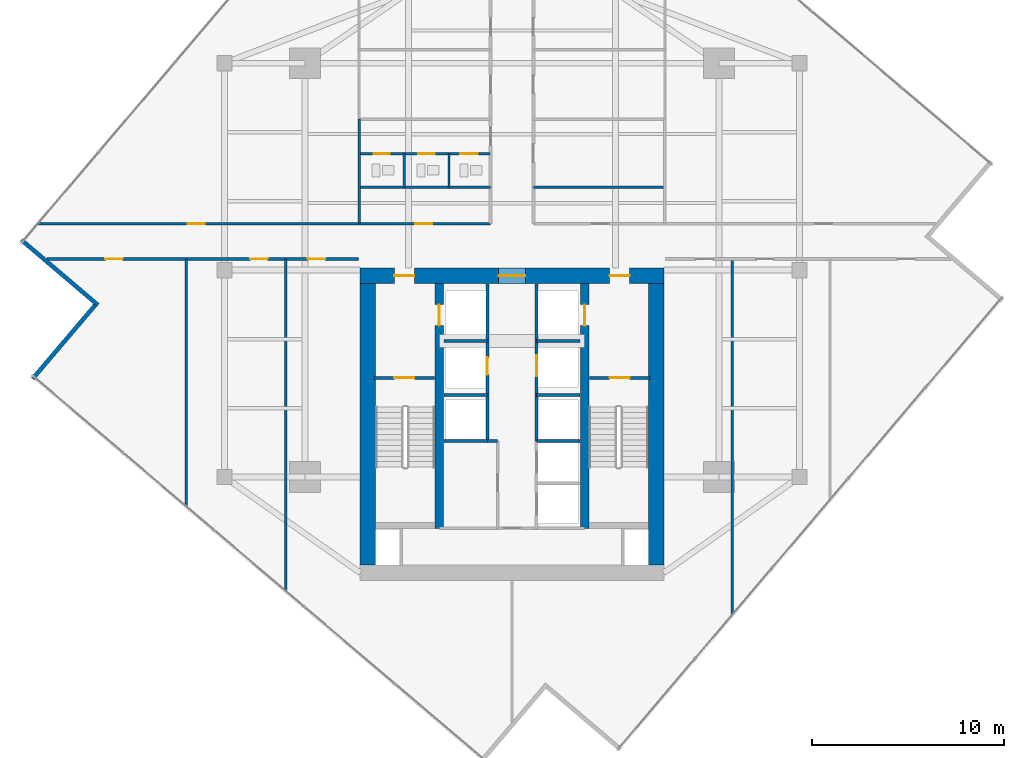
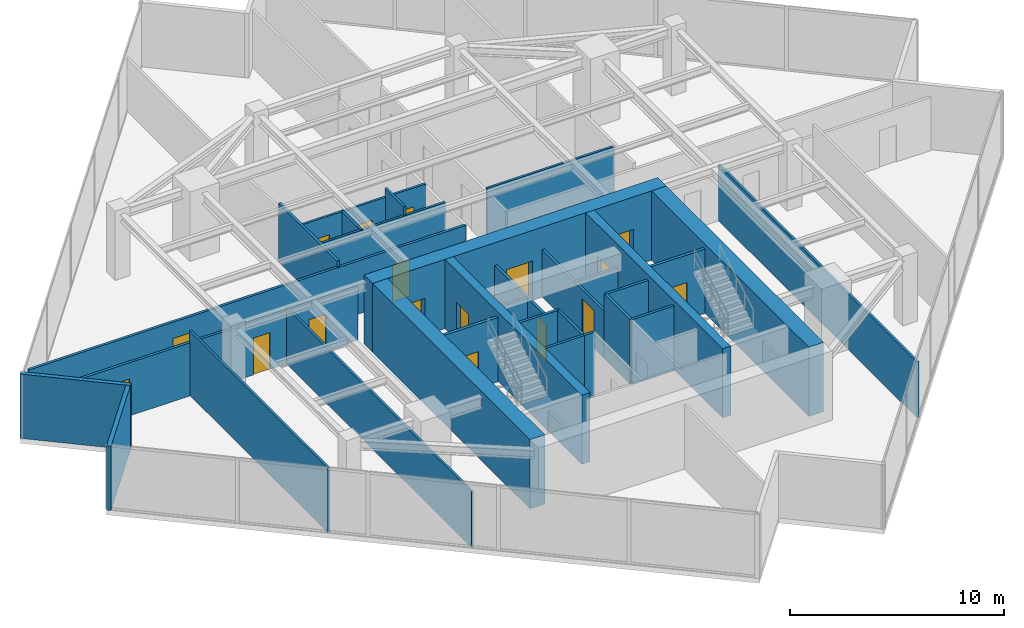
# One storey, part 22 of 25: 31 walls, 17 doors, 17 openings.
"""IFC4 building model written with IfcOpenShell, lengths in metres."""

from ifc_helpers import new_model, si_unit, direction, frame, frame_2d, origin, place, context, subcontext, project, spatial, rectangle, extrude, material, layer, layer_set, type_object, element, fill, save


model = new_model("IFC4")

# Units and contexts
model_context = context("Model", 3, precision=1e-05, world=origin(), true_north=direction((0.0, 1.0)))
body_context = subcontext(model_context, "Body", "Model", "MODEL_VIEW")
ifc_project = project(units=[si_unit("LENGTHUNIT", "METRE"), si_unit("AREAUNIT", "SQUARE_METRE"), si_unit("VOLUMEUNIT", "CUBIC_METRE"), si_unit("PLANEANGLEUNIT", "RADIAN"), si_unit("MASSUNIT", "GRAM", prefix="KILO")], contexts=[model_context])

# Site, building, storey
site_placement = place(None, origin())
site = spatial("IfcSite", under=ifc_project, at=site_placement, CompositionType="ELEMENT")
building_placement = place(site_placement, origin())
building = spatial("IfcBuilding", under=site, at=building_placement, Name="Krantzveldt Concourse Tower", CompositionType="ELEMENT")
storey_placement = place(building_placement, frame((0.0, 0.0, 215.199951171875)))
storey = spatial("IfcBuildingStorey", under=building, at=storey_placement, Name="L52", CompositionType="ELEMENT", Elevation=215.199951171875)

# Walls
ifc_material_1 = material(Name="Anodised aluminium 6063-T6", Category="aluminium")
ifc_layer_1 = layer(ifc_material_1, 0.219970703125, Name="Anodised aluminium 6063-T6", Category="aluminium")
ifc_layer_set_1 = layer_set([ifc_layer_1], Name="Anodised aluminium 6063-T6 (WL-EXT-NOTCH220)")
wall_type_1 = type_object("IfcWallType", Name="WL-EXT-NOTCH220", PredefinedType="ELEMENTEDWALL", material=ifc_layer_set_1)
wall_1_placement = place(storey_placement, frame((10.394287109375, 28.271484375, 0.0), z_axis=(0.0, 0.0, 1.0), x_axis=(0.761803778304, -0.647807844474, 0.0)))
element("IfcWall", 1, at=wall_1_placement, inside=storey, type_object=wall_type_1, Name="EW-L52-NCH02", PredefinedType="ELEMENTEDWALL", context=body_context, shape_type="SweptSolid", body=[
    extrude(rectangle(XDim=5.244873046875, YDim=0.219970703125, at=frame_2d((2.62255859375, 0.0))), origin(), (0.0, 0.0, 1.0), 3.670166015625),
])
wall_2_placement = place(storey_placement, frame((14.23486328125, 24.861328125, 0.0), z_axis=(0.0, 0.0, 1.0), x_axis=(-0.647765464437, -0.761839814583, 0.0)))
element("IfcWall", 2, at=wall_2_placement, inside=storey, type_object=wall_type_1, Name="EW-L52-NCH03", PredefinedType="ELEMENTEDWALL", context=body_context, shape_type="SweptSolid", body=[
    extrude(rectangle(XDim=5.025146484375, YDim=0.219970703125, at=frame_2d((2.5126953125, 0.0))), origin(), (0.0, 0.0, 1.0), 3.670166015625),
])
ifc_material_2 = material(Name="Fire-rated gypsum plasterboard on steel stud", Category="steel")
ifc_layer_2 = layer(ifc_material_2, 0.1201171875, Name="Fire-rated gypsum plasterboard on steel stud", Category="steel")
ifc_layer_set_2 = layer_set([ifc_layer_2], Name="Fire-rated gypsum plasterboard on steel stud (WL-PART-120)")
wall_type_2 = type_object("IfcWallType", Name="WL-PART-120", PredefinedType="PARTITIONING", material=ifc_layer_set_2)
for number, where, z_axis, x_axis, name in (
    (3, (28.02001953125, 31.02001953125, 0.0), (0.0, 0.0, 1.0), (1.0, 0.0, 0.0), "WP-L52-ISML"),
    (4, (37.1201171875, 31.02001953125, 0.0), (0.0, 0.0, 1.0), (1.0, 0.0, 0.0), "WP-L52-ISMR"),
):
    element("IfcWall", number, at=place(storey_placement, frame(where, z_axis=z_axis, x_axis=x_axis)), inside=storey, type_object=wall_type_2, Name=name, PredefinedType="PARTITIONING", context=body_context, shape_type="SweptSolid", body=[
        extrude(rectangle(XDim=6.85986328125, YDim=0.1201171875, at=frame_2d((3.429931640625, 0.0))), origin(), (0.0, 0.0, 1.0), 3.179931640625),
    ])

# Wall, openings, doors
wall_3_placement = place(storey_placement, frame((28.050048828125, 32.780029296875, 0.0), z_axis=(0.0, 0.0, 1.0), x_axis=(1.0, 0.0, 0.0)))
wall_3 = element("IfcWall", 5, at=wall_3_placement, inside=storey, type_object=wall_type_2, Name="WP-L52-WCHDR", PredefinedType="PARTITIONING", context=body_context, shape_type="SweptSolid", body=[
    extrude(rectangle(XDim=6.800048828125, YDim=0.1201171875, at=frame_2d((3.39990234375, 0.0))), origin(), (0.0, 0.0, 1.0), 3.179931640625),
])
opening_1_placement = place(wall_3_placement, frame((0.72509765625, 0.0, 0.0)))
opening_1 = element("IfcOpeningElement", 6, at=opening_1_placement, cuts=wall_3, Name="Opening D-IN085", PredefinedType="OPENING", context=body_context, shape_type="SweptSolid", body=[
    extrude(rectangle(XDim=0.85009765625, YDim=2.10009765625, at=frame_2d((0.425048828125, 1.050048828125))), frame((0.0, 0.070068359375, 0.0), z_axis=(0.0, -1.0, 0.0), x_axis=(1.0, 0.0, 0.0)), (0.0, 0.0, 1.0), 0.14013671875),
])
opening_2_placement = place(wall_3_placement, frame((3.06494140625, 0.0, 0.0)))
opening_2 = element("IfcOpeningElement", 7, at=opening_2_placement, cuts=wall_3, Name="Opening D-IN085", PredefinedType="OPENING", context=body_context, shape_type="SweptSolid", body=[
    extrude(rectangle(XDim=0.85009765625, YDim=2.10009765625, at=frame_2d((0.425048828125, 1.050048828125))), frame((0.0, 0.070068359375, 0.0), z_axis=(0.0, -1.0, 0.0), x_axis=(1.0, 0.0, 0.0)), (0.0, 0.0, 1.0), 0.14013671875),
])
opening_3_placement = place(wall_3_placement, frame((5.25, 0.0, 0.0)))
opening_3 = element("IfcOpeningElement", 8, at=opening_3_placement, cuts=wall_3, Name="Opening D-IN090", PredefinedType="OPENING", context=body_context, shape_type="SweptSolid", body=[
    extrude(rectangle(XDim=0.89990234375, YDim=2.10009765625, at=frame_2d((0.449951171875, 1.050048828125))), frame((0.0, 0.070068359375, 0.0), z_axis=(0.0, -1.0, 0.0), x_axis=(1.0, 0.0, 0.0)), (0.0, 0.0, 1.0), 0.14013671875),
])
ifc_material_3 = material(Name="Hardwood timber", Category="wood")
door_type_1 = type_object("IfcDoorType", Name="DR-INT-850", OperationType="SINGLE_SWING_LEFT", PredefinedType="DOOR", material=ifc_material_3)
door_1_placement = place(opening_1_placement, origin())
door_1 = element("IfcDoor", 9, at=door_1_placement, inside=storey, type_object=door_type_1, Name="DR-L52-WCM", OperationType="SINGLE_SWING_LEFT", OverallHeight=2.10009765625, OverallWidth=0.85009765625, PredefinedType="DOOR", context=body_context, shape_type="SweptSolid", body=[
    extrude(rectangle(XDim=0.85009765625, YDim=2.10009765625, at=frame_2d((0.425048828125, 1.050048828125))), frame((0.0, 0.02490234375, 0.0), z_axis=(0.0, -1.0, 0.0), x_axis=(1.0, 0.0, 0.0)), (0.0, 0.0, 1.0), 0.050048828125),
])
fill(opening_1, door_1)
door_2_placement = place(opening_2_placement, origin())
door_2 = element("IfcDoor", 10, at=door_2_placement, inside=storey, type_object=door_type_1, Name="DR-L52-WCF", OperationType="SINGLE_SWING_RIGHT", OverallHeight=2.10009765625, OverallWidth=0.85009765625, PredefinedType="DOOR", context=body_context, shape_type="SweptSolid", body=[
    extrude(rectangle(XDim=0.85009765625, YDim=2.10009765625, at=frame_2d((0.425048828125, 1.050048828125))), frame((0.0, 0.02490234375, 0.0), z_axis=(0.0, -1.0, 0.0), x_axis=(1.0, 0.0, 0.0)), (0.0, 0.0, 1.0), 0.050048828125),
])
fill(opening_2, door_2)
door_type_2 = type_object("IfcDoorType", Name="DR-INT-900", OperationType="SINGLE_SWING_LEFT", PredefinedType="DOOR", material=ifc_material_3)
door_3_placement = place(opening_3_placement, origin())
door_3 = element("IfcDoor", 11, at=door_3_placement, inside=storey, type_object=door_type_2, Name="DR-L52-WCA", OperationType="SINGLE_SWING_LEFT", OverallHeight=2.10009765625, OverallWidth=0.89990234375, PredefinedType="DOOR", context=body_context, shape_type="SweptSolid", body=[
    extrude(rectangle(XDim=0.89990234375, YDim=2.10009765625, at=frame_2d((0.449951171875, 1.050048828125))), frame((0.0, 0.02490234375, 0.0), z_axis=(0.0, -1.0, 0.0), x_axis=(1.0, 0.0, 0.0)), (0.0, 0.0, 1.0), 0.050048828125),
])
fill(opening_3, door_3)

# Walls
wall_4_placement = place(storey_placement, frame((30.3701171875, 31.02001953125, 0.0), z_axis=(0.0, 0.0, 1.0), x_axis=(0.0, 1.0, 0.0)))
element("IfcWall", 12, at=wall_4_placement, inside=storey, type_object=wall_type_2, Name="WP-L52-WCD1", PredefinedType="PARTITIONING", context=body_context, shape_type="SweptSolid", body=[
    extrude(rectangle(XDim=1.760009765625, YDim=0.1201171875, at=frame_2d((0.8798828125, 0.0))), origin(), (0.0, 0.0, 1.0), 3.179931640625),
])
wall_5_placement = place(storey_placement, frame((32.7099609375, 31.02001953125, 0.0), z_axis=(0.0, 0.0, 1.0), x_axis=(0.0, 1.0, 0.0)))
element("IfcWall", 13, at=wall_5_placement, inside=storey, type_object=wall_type_2, Name="WP-L52-WCD2", PredefinedType="PARTITIONING", context=body_context, shape_type="SweptSolid", body=[
    extrude(rectangle(XDim=1.760009765625, YDim=0.1201171875, at=frame_2d((0.8798828125, 0.0))), origin(), (0.0, 0.0, 1.0), 3.670166015625),
])
wall_6_placement = place(storey_placement, frame((19.0, 14.3642578125, 0.0), z_axis=(0.0, 0.0, 1.0), x_axis=(0.0, 1.0, 0.0)))
element("IfcWall", 14, at=wall_6_placement, inside=storey, type_object=wall_type_2, Name="WP-L52-SWX1", PredefinedType="PARTITIONING", context=body_context, shape_type="SweptSolid", body=[
    extrude(rectangle(XDim=12.915771484375, YDim=0.1201171875, at=frame_2d((6.4580078125, 0.0))), origin(), (0.0, 0.0, 1.0), 3.670166015625),
])
wall_7_placement = place(storey_placement, frame((24.199951171875, 9.942626953125, 0.0), z_axis=(0.0, 0.0, 1.0), x_axis=(0.0, 1.0, 0.0)))
element("IfcWall", 15, at=wall_7_placement, inside=storey, type_object=wall_type_2, Name="WP-L52-SWX2", PredefinedType="PARTITIONING", context=body_context, shape_type="SweptSolid", body=[
    extrude(rectangle(XDim=17.33740234375, YDim=0.1201171875, at=frame_2d((8.668701171875, 0.0))), origin(), (0.0, 0.0, 1.0), 3.179931640625),
])
wall_8_placement = place(storey_placement, frame((47.5, 8.71728515625, 0.0), z_axis=(0.0, 0.0, 1.0), x_axis=(0.0, 1.0, 0.0)))
element("IfcWall", 16, at=wall_8_placement, inside=storey, type_object=wall_type_2, Name="WP-L52-SEX1", PredefinedType="PARTITIONING", context=body_context, shape_type="SweptSolid", body=[
    extrude(rectangle(XDim=18.562744140625, YDim=0.1201171875, at=frame_2d((9.28125, 0.0))), origin(), (0.0, 0.0, 1.0), 3.179931640625),
])

# Wall, openings, doors
ifc_layer_3 = layer(ifc_material_2, 0.139892578125, Name="Fire-rated gypsum plasterboard on steel stud", Category="steel")
ifc_layer_set_3 = layer_set([ifc_layer_3], Name="Fire-rated gypsum plasterboard on steel stud (WL-PART-140)")
wall_type_3 = type_object("IfcWallType", Name="WL-PART-140", PredefinedType="PARTITIONING", material=ifc_layer_set_3)
wall_9_placement = place(storey_placement, frame((11.2666015625, 29.1201171875, 0.0), z_axis=(0.0, 0.0, 1.0), x_axis=(1.0, 0.0, 0.0)))
wall_9 = element("IfcWall", 17, at=wall_9_placement, inside=storey, type_object=wall_type_3, Name="WP-L52-EWNL", PredefinedType="PARTITIONING", context=body_context, shape_type="SweptSolid", body=[
    extrude(rectangle(XDim=23.61328125, YDim=0.139892578125, at=frame_2d((11.806640625, 0.0))), origin(), (0.0, 0.0, 1.0), 3.030029296875),
])
opening_4_placement = place(wall_9_placement, frame((19.683349609375, 0.0, 0.0)))
opening_4 = element("IfcOpeningElement", 18, at=opening_4_placement, cuts=wall_9, Name="Opening D-IN090", PredefinedType="OPENING", context=body_context, shape_type="SweptSolid", body=[
    extrude(rectangle(XDim=0.89990234375, YDim=2.10009765625, at=frame_2d((0.449951171875, 1.050048828125))), frame((0.0, 0.080078125, 0.0), z_axis=(0.0, -1.0, 0.0), x_axis=(1.0, 0.0, 0.0)), (0.0, 0.0, 1.0), 0.159912109375),
])
opening_5_placement = place(wall_9_placement, frame((7.809326171875, 0.0, 0.0)))
opening_5 = element("IfcOpeningElement", 19, at=opening_5_placement, cuts=wall_9, Name="Opening D-IN090", PredefinedType="OPENING", context=body_context, shape_type="SweptSolid", body=[
    extrude(rectangle(XDim=0.89990234375, YDim=2.10009765625, at=frame_2d((0.449951171875, 1.050048828125))), frame((0.0, 0.080078125, 0.0), z_axis=(0.0, -1.0, 0.0), x_axis=(1.0, 0.0, 0.0)), (0.0, 0.0, 1.0), 0.159912109375),
])
door_4_placement = place(opening_4_placement, origin())
door_4 = element("IfcDoor", 20, at=door_4_placement, inside=storey, type_object=door_type_2, Name="DR-L52-ALCL", OperationType="SINGLE_SWING_LEFT", OverallHeight=2.10009765625, OverallWidth=0.89990234375, PredefinedType="DOOR", context=body_context, shape_type="SweptSolid", body=[
    extrude(rectangle(XDim=0.89990234375, YDim=2.10009765625, at=frame_2d((0.449951171875, 1.050048828125))), frame((0.0, 0.02490234375, 0.0), z_axis=(0.0, -1.0, 0.0), x_axis=(1.0, 0.0, 0.0)), (0.0, 0.0, 1.0), 0.050048828125),
])
fill(opening_4, door_4)
door_5_placement = place(opening_5_placement, origin())
door_5 = element("IfcDoor", 21, at=door_5_placement, inside=storey, type_object=door_type_2, Name="DR-L52-NWX1", OperationType="SINGLE_SWING_LEFT", OverallHeight=2.10009765625, OverallWidth=0.89990234375, PredefinedType="DOOR", context=body_context, shape_type="SweptSolid", body=[
    extrude(rectangle(XDim=0.89990234375, YDim=2.10009765625, at=frame_2d((0.449951171875, 1.050048828125))), frame((0.0, 0.02490234375, 0.0), z_axis=(0.0, -1.0, 0.0), x_axis=(1.0, 0.0, 0.0)), (0.0, 0.0, 1.0), 0.050048828125),
])
fill(opening_5, door_5)

wall_10_placement = place(storey_placement, frame((11.737548828125, 27.280029296875, 0.0), z_axis=(0.0, 0.0, 1.0), x_axis=(1.0, 0.0, 0.0)))
wall_10 = element("IfcWall", 22, at=wall_10_placement, inside=storey, type_object=wall_type_3, Name="WP-L52-EWSL", PredefinedType="PARTITIONING", context=body_context, shape_type="SweptSolid", body=[
    extrude(rectangle(XDim=16.262451171875, YDim=0.139892578125, at=frame_2d((8.13134765625, 0.0))), origin(), (0.0, 0.0, 1.0), 3.030029296875),
])
opening_6_placement = place(wall_10_placement, frame((3.038330078125, 0.0, 0.0)))
opening_6 = element("IfcOpeningElement", 23, at=opening_6_placement, cuts=wall_10, Name="Opening D-IN090", PredefinedType="OPENING", context=body_context, shape_type="SweptSolid", body=[
    extrude(rectangle(XDim=0.89990234375, YDim=2.10009765625, at=frame_2d((0.449951171875, 1.050048828125))), frame((0.0, 0.080078125, 0.0), z_axis=(0.0, -1.0, 0.0), x_axis=(1.0, 0.0, 0.0)), (0.0, 0.0, 1.0), 0.159912109375),
])
opening_7_placement = place(wall_10_placement, frame((10.6123046875, 0.0, 0.0)))
opening_7 = element("IfcOpeningElement", 24, at=opening_7_placement, cuts=wall_10, Name="Opening D-IN090", PredefinedType="OPENING", context=body_context, shape_type="SweptSolid", body=[
    extrude(rectangle(XDim=0.89990234375, YDim=2.10009765625, at=frame_2d((0.449951171875, 1.050048828125))), frame((0.0, 0.080078125, 0.0), z_axis=(0.0, -1.0, 0.0), x_axis=(1.0, 0.0, 0.0)), (0.0, 0.0, 1.0), 0.159912109375),
])
opening_8_placement = place(wall_10_placement, frame((13.6123046875, 0.0, 0.0)))
opening_8 = element("IfcOpeningElement", 25, at=opening_8_placement, cuts=wall_10, Name="Opening D-IN090", PredefinedType="OPENING", context=body_context, shape_type="SweptSolid", body=[
    extrude(rectangle(XDim=0.89990234375, YDim=2.10009765625, at=frame_2d((0.449951171875, 1.050048828125))), frame((0.0, 0.080078125, 0.0), z_axis=(0.0, -1.0, 0.0), x_axis=(1.0, 0.0, 0.0)), (0.0, 0.0, 1.0), 0.159912109375),
])
door_6_placement = place(opening_6_placement, origin())
door_6 = element("IfcDoor", 26, at=door_6_placement, inside=storey, type_object=door_type_2, Name="DR-L52-SWX1", OperationType="SINGLE_SWING_LEFT", OverallHeight=2.10009765625, OverallWidth=0.89990234375, PredefinedType="DOOR", context=body_context, shape_type="SweptSolid", body=[
    extrude(rectangle(XDim=0.89990234375, YDim=2.10009765625, at=frame_2d((0.449951171875, 1.050048828125))), frame((0.0, 0.02490234375, 0.0), z_axis=(0.0, -1.0, 0.0), x_axis=(1.0, 0.0, 0.0)), (0.0, 0.0, 1.0), 0.050048828125),
])
fill(opening_6, door_6)
door_7_placement = place(opening_7_placement, origin())
door_7 = element("IfcDoor", 27, at=door_7_placement, inside=storey, type_object=door_type_2, Name="DR-L52-SWX2", OperationType="SINGLE_SWING_LEFT", OverallHeight=2.10009765625, OverallWidth=0.89990234375, PredefinedType="DOOR", context=body_context, shape_type="SweptSolid", body=[
    extrude(rectangle(XDim=0.89990234375, YDim=2.10009765625, at=frame_2d((0.449951171875, 1.050048828125))), frame((0.0, 0.02490234375, 0.0), z_axis=(0.0, -1.0, 0.0), x_axis=(1.0, 0.0, 0.0)), (0.0, 0.0, 1.0), 0.050048828125),
])
fill(opening_7, door_7)
door_8_placement = place(opening_8_placement, origin())
door_8 = element("IfcDoor", 28, at=door_8_placement, inside=storey, type_object=door_type_2, Name="DR-L52-SWX3", OperationType="SINGLE_SWING_LEFT", OverallHeight=2.10009765625, OverallWidth=0.89990234375, PredefinedType="DOOR", context=body_context, shape_type="SweptSolid", body=[
    extrude(rectangle(XDim=0.89990234375, YDim=2.10009765625, at=frame_2d((0.449951171875, 1.050048828125))), frame((0.0, 0.02490234375, 0.0), z_axis=(0.0, -1.0, 0.0), x_axis=(1.0, 0.0, 0.0)), (0.0, 0.0, 1.0), 0.050048828125),
])
fill(opening_8, door_8)

# Wall
wall_11_placement = place(storey_placement, frame((28.02001953125, 29.1201171875, 0.0), z_axis=(0.0, 0.0, 1.0), x_axis=(0.0, 1.0, 0.0)))
element("IfcWall", 29, at=wall_11_placement, inside=storey, type_object=wall_type_3, Name="WP-L52-ISWL", PredefinedType="PARTITIONING", context=body_context, shape_type="SweptSolid", body=[
    extrude(rectangle(XDim=5.4599609375, YDim=0.139892578125, at=frame_2d((2.72998046875, 0.0))), origin(), (0.0, 0.0, 1.0), 3.3701171875),
])

# Wall, opening, door
ifc_layer_4 = layer(ifc_material_2, 0.139892578125, Name="Fire-rated gypsum plasterboard on steel stud", Category="steel")
ifc_layer_set_4 = layer_set([ifc_layer_4], Name="Fire-rated gypsum plasterboard on steel stud (WL-PART-FR140)")
wall_type_4 = type_object("IfcWallType", Name="WL-PART-FR140", PredefinedType="PARTITIONING", material=ifc_layer_set_4)
wall_12_placement = place(storey_placement, frame((34.719970703125, 20.199951171875, 0.0), z_axis=(0.0, 0.0, 1.0), x_axis=(0.0, 1.0, 0.0)))
wall_12 = element("IfcWall", 30, at=wall_12_placement, inside=storey, type_object=wall_type_4, Name="WP-L52-SHNW", PredefinedType="PARTITIONING", context=body_context, shape_type="SweptSolid", body=[
    extrude(rectangle(XDim=5.780029296875, YDim=0.139892578125, at=frame_2d((2.89013671875, 0.0))), origin(), (0.0, 0.0, 1.0), 2.670166015625),
])
opening_9_placement = place(wall_12_placement, frame((1.050048828125, 0.0, 0.0)))
opening_9 = element("IfcOpeningElement", 31, at=opening_9_placement, cuts=wall_12, Name="Opening D-FD090", PredefinedType="OPENING", context=body_context, shape_type="SweptSolid", body=[
    extrude(rectangle(XDim=0.89990234375, YDim=2.10009765625, at=frame_2d((0.449951171875, 1.050048828125))), frame((0.0, 0.080078125, 0.0), z_axis=(0.0, -1.0, 0.0), x_axis=(1.0, 0.0, 0.0)), (0.0, 0.0, 1.0), 0.159912109375),
])
door_type_3 = type_object("IfcDoorType", Name="DR-FD60-900", OperationType="SINGLE_SWING_LEFT", PredefinedType="DOOR", material=ifc_material_3)
door_9_placement = place(opening_9_placement, origin())
door_9 = element("IfcDoor", 32, at=door_9_placement, inside=storey, type_object=door_type_3, Name="Electrical Riser Access Door L52", OperationType="SINGLE_SWING_LEFT", OverallHeight=2.10009765625, OverallWidth=0.89990234375, PredefinedType="DOOR", context=body_context, shape_type="SweptSolid", body=[
    extrude(rectangle(XDim=0.89990234375, YDim=2.10009765625, at=frame_2d((0.449951171875, 1.050048828125))), frame((0.0, 0.02490234375, 0.0), z_axis=(0.0, -1.0, 0.0), x_axis=(1.0, 0.0, 0.0)), (0.0, 0.0, 1.0), 0.050048828125),
])
fill(opening_9, door_9)

wall_13_placement = place(storey_placement, frame((37.280029296875, 20.199951171875, 0.0), z_axis=(0.0, 0.0, 1.0), x_axis=(0.0, 1.0, 0.0)))
wall_13 = element("IfcWall", 33, at=wall_13_placement, inside=storey, type_object=wall_type_4, Name="WP-L52-SHNE", PredefinedType="PARTITIONING", context=body_context, shape_type="SweptSolid", body=[
    extrude(rectangle(XDim=5.780029296875, YDim=0.139892578125, at=frame_2d((2.89013671875, 0.0))), origin(), (0.0, 0.0, 1.0), 2.670166015625),
])
opening_10_placement = place(wall_13_placement, frame((0.949951171875, 0.0, 0.0)))
opening_10 = element("IfcOpeningElement", 34, at=opening_10_placement, cuts=wall_13, Name="Opening LD", PredefinedType="OPENING", context=body_context, shape_type="SweptSolid", body=[
    extrude(rectangle(XDim=1.10009765625, YDim=2.14990234375, at=frame_2d((0.550048828125, 1.074951171875))), frame((0.0, 0.080078125, 0.0), z_axis=(0.0, -1.0, 0.0), x_axis=(1.0, 0.0, 0.0)), (0.0, 0.0, 1.0), 0.159912109375),
])
ifc_material_4 = material(Name="Stainless steel 316L", Category="steel")
door_type_4 = type_object("IfcDoorType", Name="DR-SLIDE-LD1100", OperationType="DOUBLE_DOOR_SLIDING", PredefinedType="DOOR", material=ifc_material_4)
door_10_placement = place(opening_10_placement, origin())
door_10 = element("IfcDoor", 35, at=door_10_placement, inside=storey, type_object=door_type_4, Name="LD-L52-GL1", OperationType="DOUBLE_DOOR_SLIDING", OverallHeight=2.14990234375, OverallWidth=1.10009765625, PredefinedType="DOOR", context=body_context, shape_type="SweptSolid", body=[
    extrude(rectangle(XDim=1.10009765625, YDim=2.14990234375, at=frame_2d((0.550048828125, 1.074951171875))), frame((0.0, 0.02490234375, 0.0), z_axis=(0.0, -1.0, 0.0), x_axis=(1.0, 0.0, 0.0)), (0.0, 0.0, 1.0), 0.050048828125),
])
fill(opening_10, door_10)

# Walls
for number, where, z_axis, x_axis, name in (
    (36, (32.449951171875, 23.0, 0.0), (0.0, 0.0, 1.0), (1.0, 0.0, 0.0), "WP-L52-RISH"),
    (37, (37.280029296875, 23.0, 0.0), (0.0, 0.0, 1.0), (1.0, 0.0, 0.0), "WP-L52-GLH"),
):
    element("IfcWall", number, at=place(storey_placement, frame(where, z_axis=z_axis, x_axis=x_axis)), inside=storey, type_object=wall_type_4, Name=name, PredefinedType="PARTITIONING", context=body_context, shape_type="SweptSolid", body=[
        extrude(rectangle(XDim=2.27001953125, YDim=0.139892578125, at=frame_2d((1.135009765625, 0.0))), origin(), (0.0, 0.0, 1.0), 2.670166015625),
    ])
for number, where, z_axis, x_axis, name in (
    (38, (34.719970703125, 17.780029296875, 0.0), (0.0, 0.0, 1.0), (0.0, 1.0, 0.0), "WP-L52-SHNW2"),
    (39, (37.280029296875, 17.780029296875, 0.0), (0.0, 0.0, 1.0), (0.0, 1.0, 0.0), "WP-L52-SHNE2"),
):
    element("IfcWall", number, at=place(storey_placement, frame(where, z_axis=z_axis, x_axis=x_axis)), inside=storey, type_object=wall_type_4, Name=name, PredefinedType="PARTITIONING", context=body_context, shape_type="SweptSolid", body=[
        extrude(rectangle(XDim=2.419921875, YDim=0.139892578125, at=frame_2d((1.2099609375, 0.0))), origin(), (0.0, 0.0, 1.0), 3.670166015625),
    ])
for number, where, z_axis, x_axis, name in (
    (40, (32.449951171875, 17.780029296875, 0.0), (0.0, 0.0, 1.0), (1.0, 0.0, 0.0), "WP-L52-DIVW2"),
    (41, (32.449951171875, 20.179931640625, 0.0), (0.0, 0.0, 1.0), (1.0, 0.0, 0.0), "WP-L52-DIVW3"),
    (42, (37.280029296875, 17.780029296875, 0.0), (0.0, 0.0, 1.0), (1.0, 0.0, 0.0), "WP-L52-DIVE2"),
    (43, (37.280029296875, 20.179931640625, 0.0), (0.0, 0.0, 1.0), (1.0, 0.0, 0.0), "WP-L52-DIVE3"),
):
    element("IfcWall", number, at=place(storey_placement, frame(where, z_axis=z_axis, x_axis=x_axis)), inside=storey, type_object=wall_type_4, Name=name, PredefinedType="PARTITIONING", context=body_context, shape_type="SweptSolid", body=[
        extrude(rectangle(XDim=2.27001953125, YDim=0.139892578125, at=frame_2d((1.135009765625, 0.0))), origin(), (0.0, 0.0, 1.0), 3.670166015625),
    ])
wall_14_placement = place(storey_placement, frame((34.719970703125, 17.780029296875, 0.0), z_axis=(0.0, 0.0, 1.0), x_axis=(1.0, 0.0, 0.0)))
element("IfcWall", 44, at=wall_14_placement, inside=storey, type_object=wall_type_4, Name="WP-L52-RECWN", PredefinedType="PARTITIONING", context=body_context, shape_type="SweptSolid", body=[
    extrude(rectangle(XDim=0.530029296875, YDim=0.139892578125, at=frame_2d((0.26513671875, 0.0))), origin(), (0.0, 0.0, 1.0), 3.670166015625),
])

# Wall, opening, door
ifc_layer_5 = layer(ifc_material_2, 0.159912109375, Name="Fire-rated gypsum plasterboard on steel stud", Category="steel")
ifc_layer_set_5 = layer_set([ifc_layer_5], Name="Fire-rated gypsum plasterboard on steel stud (WL-PART-FR160)")
wall_type_5 = type_object("IfcWallType", Name="WL-PART-FR160", PredefinedType="PARTITIONING", material=ifc_layer_set_5)
wall_15_placement = place(storey_placement, frame((28.800048828125, 21.080078125, 0.0), z_axis=(0.0, 0.0, 1.0), x_axis=(1.0, 0.0, 0.0)))
wall_15 = element("IfcWall", 45, at=wall_15_placement, inside=storey, type_object=wall_type_5, Name="WP-L52-ST1", PredefinedType="PARTITIONING", context=body_context, shape_type="SweptSolid", body=[
    extrude(rectangle(XDim=3.159912109375, YDim=0.159912109375, at=frame_2d((1.580078125, 0.0))), origin(), (0.0, 0.0, 1.0), 3.670166015625),
])
opening_11_placement = place(wall_15_placement, frame((1.054931640625, 0.0, 0.0)))
opening_11 = element("IfcOpeningElement", 46, at=opening_11_placement, cuts=wall_15, Name="Opening D-FD105", PredefinedType="OPENING", context=body_context, shape_type="SweptSolid", body=[
    extrude(rectangle(XDim=1.050048828125, YDim=2.10009765625, at=frame_2d((0.52490234375, 1.050048828125))), frame((0.0, 0.08984375, 0.0), z_axis=(0.0, -1.0, 0.0), x_axis=(1.0, 0.0, 0.0)), (0.0, 0.0, 1.0), 0.179931640625),
])
ifc_material_5 = material(Name="Galvanised steel", Category="steel")
door_type_5 = type_object("IfcDoorType", Name="DR-FD120-1050", OperationType="SINGLE_SWING_LEFT", PredefinedType="DOOR", material=ifc_material_5)
door_11_placement = place(opening_11_placement, origin())
door_11 = element("IfcDoor", 47, at=door_11_placement, inside=storey, type_object=door_type_5, Name="DR-L52-ST1", OperationType="SINGLE_SWING_RIGHT", OverallHeight=2.10009765625, OverallWidth=1.050048828125, PredefinedType="DOOR", context=body_context, shape_type="SweptSolid", body=[
    extrude(rectangle(XDim=1.050048828125, YDim=2.10009765625, at=frame_2d((0.52490234375, 1.050048828125))), frame((0.0, 0.02490234375, 0.0), z_axis=(0.0, -1.0, 0.0), x_axis=(1.0, 0.0, 0.0)), (0.0, 0.0, 1.0), 0.050048828125),
])
fill(opening_11, door_11)

wall_16_placement = place(storey_placement, frame((40.0400390625, 21.080078125, 0.0), z_axis=(0.0, 0.0, 1.0), x_axis=(1.0, 0.0, 0.0)))
wall_16 = element("IfcWall", 48, at=wall_16_placement, inside=storey, type_object=wall_type_5, Name="WP-L52-ST2", PredefinedType="PARTITIONING", context=body_context, shape_type="SweptSolid", body=[
    extrude(rectangle(XDim=3.159912109375, YDim=0.159912109375, at=frame_2d((1.580078125, 0.0))), origin(), (0.0, 0.0, 1.0), 3.670166015625),
])
opening_12_placement = place(wall_16_placement, frame((1.054931640625, 0.0, 0.0)))
opening_12 = element("IfcOpeningElement", 49, at=opening_12_placement, cuts=wall_16, Name="Opening D-FD105", PredefinedType="OPENING", context=body_context, shape_type="SweptSolid", body=[
    extrude(rectangle(XDim=1.050048828125, YDim=2.10009765625, at=frame_2d((0.52490234375, 1.050048828125))), frame((0.0, 0.08984375, 0.0), z_axis=(0.0, -1.0, 0.0), x_axis=(1.0, 0.0, 0.0)), (0.0, 0.0, 1.0), 0.179931640625),
])
door_12_placement = place(opening_12_placement, origin())
door_12 = element("IfcDoor", 50, at=door_12_placement, inside=storey, type_object=door_type_5, Name="DR-L52-ST2", OperationType="SINGLE_SWING_LEFT", OverallHeight=2.10009765625, OverallWidth=1.050048828125, PredefinedType="DOOR", context=body_context, shape_type="SweptSolid", body=[
    extrude(rectangle(XDim=1.050048828125, YDim=2.10009765625, at=frame_2d((0.52490234375, 1.050048828125))), frame((0.0, 0.02490234375, 0.0), z_axis=(0.0, -1.0, 0.0), x_axis=(1.0, 0.0, 0.0)), (0.0, 0.0, 1.0), 0.050048828125),
])
fill(opening_12, door_12)

ifc_material_6 = material(Name="Concrete C50/60", Category="concrete")
ifc_layer_6 = layer(ifc_material_6, 0.449951171875, Name="Concrete C50/60", Category="concrete")
ifc_layer_set_6 = layer_set([ifc_layer_6], Name="Concrete C50/60 (WL-SHEAR-450)")
wall_type_6 = type_object("IfcWallType", Name="WL-SHEAR-450", PredefinedType="SHEAR", material=ifc_layer_set_6)
wall_17_placement = place(storey_placement, frame((32.205078125, 13.219970703125, 0.0), z_axis=(0.0, 0.0, 1.0), x_axis=(0.0, 1.0, 0.0)))
wall_17 = element("IfcWall", 51, at=wall_17_placement, inside=storey, type_object=wall_type_6, Name="CW-L52-IW", PredefinedType="SHEAR", context=body_context, shape_type="SweptSolid", body=[
    extrude(rectangle(XDim=12.780029296875, YDim=0.449951171875, at=frame_2d((6.39013671875, 0.0))), origin(), (0.0, 0.0, 1.0), 3.949951171875),
])
opening_13_placement = place(wall_17_placement, frame((10.580078125, 0.0, 0.0)))
opening_13 = element("IfcOpeningElement", 52, at=opening_13_placement, cuts=wall_17, Name="Opening LD", PredefinedType="OPENING", context=body_context, shape_type="SweptSolid", body=[
    extrude(rectangle(XDim=1.10009765625, YDim=2.14990234375, at=frame_2d((0.550048828125, 1.074951171875))), frame((0.0, 0.23486328125, 0.0), z_axis=(0.0, -1.0, 0.0), x_axis=(1.0, 0.0, 0.0)), (0.0, 0.0, 1.0), 0.469970703125),
])
door_13_placement = place(opening_13_placement, origin())
door_13 = element("IfcDoor", 53, at=door_13_placement, inside=storey, type_object=door_type_4, Name="LD-L52-FL1", OperationType="DOUBLE_DOOR_SLIDING", OverallHeight=2.14990234375, OverallWidth=1.10009765625, PredefinedType="DOOR", context=body_context, shape_type="SweptSolid", body=[
    extrude(rectangle(XDim=1.10009765625, YDim=2.14990234375, at=frame_2d((0.550048828125, 1.074951171875))), frame((0.0, 0.02490234375, 0.0), z_axis=(0.0, -1.0, 0.0), x_axis=(1.0, 0.0, 0.0)), (0.0, 0.0, 1.0), 0.050048828125),
])
fill(opening_13, door_13)

wall_18_placement = place(storey_placement, frame((39.794921875, 13.219970703125, 0.0), z_axis=(0.0, 0.0, 1.0), x_axis=(0.0, 1.0, 0.0)))
wall_18 = element("IfcWall", 54, at=wall_18_placement, inside=storey, type_object=wall_type_6, Name="CW-L52-IE", PredefinedType="SHEAR", context=body_context, shape_type="SweptSolid", body=[
    extrude(rectangle(XDim=12.780029296875, YDim=0.449951171875, at=frame_2d((6.39013671875, 0.0))), origin(), (0.0, 0.0, 1.0), 3.949951171875),
])
opening_14_placement = place(wall_18_placement, frame((10.580078125, 0.0, 0.0)))
opening_14 = element("IfcOpeningElement", 55, at=opening_14_placement, cuts=wall_18, Name="Opening LD", PredefinedType="OPENING", context=body_context, shape_type="SweptSolid", body=[
    extrude(rectangle(XDim=1.10009765625, YDim=2.14990234375, at=frame_2d((0.550048828125, 1.074951171875))), frame((0.0, 0.23486328125, 0.0), z_axis=(0.0, -1.0, 0.0), x_axis=(1.0, 0.0, 0.0)), (0.0, 0.0, 1.0), 0.469970703125),
])
door_14_placement = place(opening_14_placement, origin())
door_14 = element("IfcDoor", 56, at=door_14_placement, inside=storey, type_object=door_type_4, Name="LD-L52-FL2", OperationType="DOUBLE_DOOR_SLIDING", OverallHeight=2.14990234375, OverallWidth=1.10009765625, PredefinedType="DOOR", context=body_context, shape_type="SweptSolid", body=[
    extrude(rectangle(XDim=1.10009765625, YDim=2.14990234375, at=frame_2d((0.550048828125, 1.074951171875))), frame((0.0, 0.02490234375, 0.0), z_axis=(0.0, -1.0, 0.0), x_axis=(1.0, 0.0, 0.0)), (0.0, 0.0, 1.0), 0.050048828125),
])
fill(opening_14, door_14)

# Wall, openings, doors
ifc_material_7 = material(Name="Concrete C60/75", Category="concrete")
ifc_layer_7 = layer(ifc_material_7, 0.800048828125, Name="Concrete C60/75", Category="concrete")
ifc_layer_set_7 = layer_set([ifc_layer_7], Name="Concrete C60/75 (WL-SHEAR-800)")
wall_type_7 = type_object("IfcWallType", Name="WL-SHEAR-800", PredefinedType="SHEAR", material=ifc_layer_set_7)
wall_19_placement = place(storey_placement, frame((28.080078125, 26.39990234375, 0.0), z_axis=(0.0, 0.0, 1.0), x_axis=(1.0, 0.0, 0.0)))
wall_19 = element("IfcWall", 57, at=wall_19_placement, inside=storey, type_object=wall_type_7, Name="CW-L52-N", PredefinedType="SHEAR", context=body_context, shape_type="SweptSolid", body=[
    extrude(rectangle(XDim=15.83984375, YDim=0.800048828125, at=frame_2d((7.919921875, 0.0))), origin(), (0.0, 0.0, 1.0), 3.949951171875),
])
opening_15_placement = place(wall_19_placement, frame((7.219970703125, 0.0, 0.0)))
opening_15 = element("IfcOpeningElement", 58, at=opening_15_placement, cuts=wall_19, Name="Opening D-DB140", PredefinedType="OPENING", context=body_context, shape_type="SweptSolid", body=[
    extrude(rectangle(XDim=1.39990234375, YDim=2.199951171875, at=frame_2d((0.699951171875, 1.10009765625))), frame((0.0, 0.41015625, 0.0), z_axis=(0.0, -1.0, 0.0), x_axis=(1.0, 0.0, 0.0)), (0.0, 0.0, 1.0), 0.820068359375),
])
opening_16_placement = place(wall_19_placement, frame((1.77490234375, 0.0, 0.0)))
opening_16 = element("IfcOpeningElement", 59, at=opening_16_placement, cuts=wall_19, Name="Opening D-FD105", PredefinedType="OPENING", context=body_context, shape_type="SweptSolid", body=[
    extrude(rectangle(XDim=1.050048828125, YDim=2.10009765625, at=frame_2d((0.52490234375, 1.050048828125))), frame((0.0, 0.41015625, 0.0), z_axis=(0.0, -1.0, 0.0), x_axis=(1.0, 0.0, 0.0)), (0.0, 0.0, 1.0), 0.820068359375),
])
opening_17_placement = place(wall_19_placement, frame((13.014892578125, 0.0, 0.0)))
opening_17 = element("IfcOpeningElement", 60, at=opening_17_placement, cuts=wall_19, Name="Opening D-FD105", PredefinedType="OPENING", context=body_context, shape_type="SweptSolid", body=[
    extrude(rectangle(XDim=1.050048828125, YDim=2.10009765625, at=frame_2d((0.52490234375, 1.050048828125))), frame((0.0, 0.41015625, 0.0), z_axis=(0.0, -1.0, 0.0), x_axis=(1.0, 0.0, 0.0)), (0.0, 0.0, 1.0), 0.820068359375),
])
door_type_6 = type_object("IfcDoorType", Name="DR-DBL-1400", OperationType="DOUBLE_DOOR_SINGLE_SWING", PredefinedType="DOOR", material=ifc_material_1)
door_15_placement = place(opening_15_placement, origin())
door_15 = element("IfcDoor", 61, at=door_15_placement, inside=storey, type_object=door_type_6, Name="DR-L52-LLB", OperationType="DOUBLE_DOOR_SINGLE_SWING", OverallHeight=2.199951171875, OverallWidth=1.39990234375, PredefinedType="DOOR", context=body_context, shape_type="SweptSolid", body=[
    extrude(rectangle(XDim=1.39990234375, YDim=2.199951171875, at=frame_2d((0.699951171875, 1.10009765625))), frame((0.0, 0.02490234375, 0.0), z_axis=(0.0, -1.0, 0.0), x_axis=(1.0, 0.0, 0.0)), (0.0, 0.0, 1.0), 0.050048828125),
])
fill(opening_15, door_15)
door_16_placement = place(opening_16_placement, origin())
door_16 = element("IfcDoor", 62, at=door_16_placement, inside=storey, type_object=door_type_5, Name="DR-L52-FFL1", OperationType="SINGLE_SWING_LEFT", OverallHeight=2.10009765625, OverallWidth=1.050048828125, PredefinedType="DOOR", context=body_context, shape_type="SweptSolid", body=[
    extrude(rectangle(XDim=1.050048828125, YDim=2.10009765625, at=frame_2d((0.52490234375, 1.050048828125))), frame((0.0, 0.02490234375, 0.0), z_axis=(0.0, -1.0, 0.0), x_axis=(1.0, 0.0, 0.0)), (0.0, 0.0, 1.0), 0.050048828125),
])
fill(opening_16, door_16)
door_17_placement = place(opening_17_placement, origin())
door_17 = element("IfcDoor", 63, at=door_17_placement, inside=storey, type_object=door_type_5, Name="DR-L52-FFL2", OperationType="SINGLE_SWING_RIGHT", OverallHeight=2.10009765625, OverallWidth=1.050048828125, PredefinedType="DOOR", context=body_context, shape_type="SweptSolid", body=[
    extrude(rectangle(XDim=1.050048828125, YDim=2.10009765625, at=frame_2d((0.52490234375, 1.050048828125))), frame((0.0, 0.02490234375, 0.0), z_axis=(0.0, -1.0, 0.0), x_axis=(1.0, 0.0, 0.0)), (0.0, 0.0, 1.0), 0.050048828125),
])
fill(opening_17, door_17)

# Walls
for number, where, z_axis, x_axis, name in (
    (64, (28.47998046875, 11.300048828125, 0.0), (0.0, 0.0, 1.0), (0.0, 1.0, 0.0), "CW-L52-W"),
    (65, (43.52001953125, 11.300048828125, 0.0), (0.0, 0.0, 1.0), (0.0, 1.0, 0.0), "CW-L52-E"),
):
    element("IfcWall", number, at=place(storey_placement, frame(where, z_axis=z_axis, x_axis=x_axis)), inside=storey, type_object=wall_type_7, Name=name, PredefinedType="SHEAR", context=body_context, shape_type="SweptSolid", body=[
        extrude(rectangle(XDim=14.699951171875, YDim=0.800048828125, at=frame_2d((7.35009765625, 0.0))), origin(), (0.0, 0.0, 1.0), 3.949951171875),
    ])

save(model, "model.ifc")
